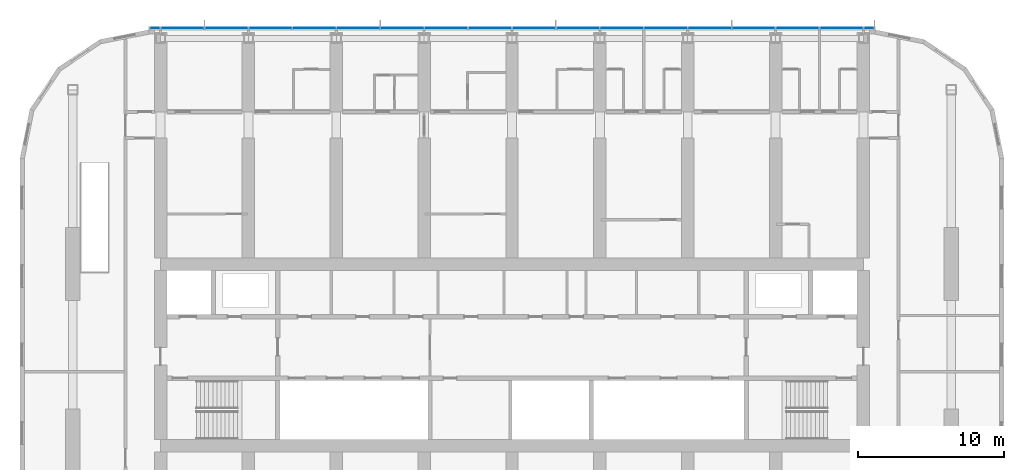
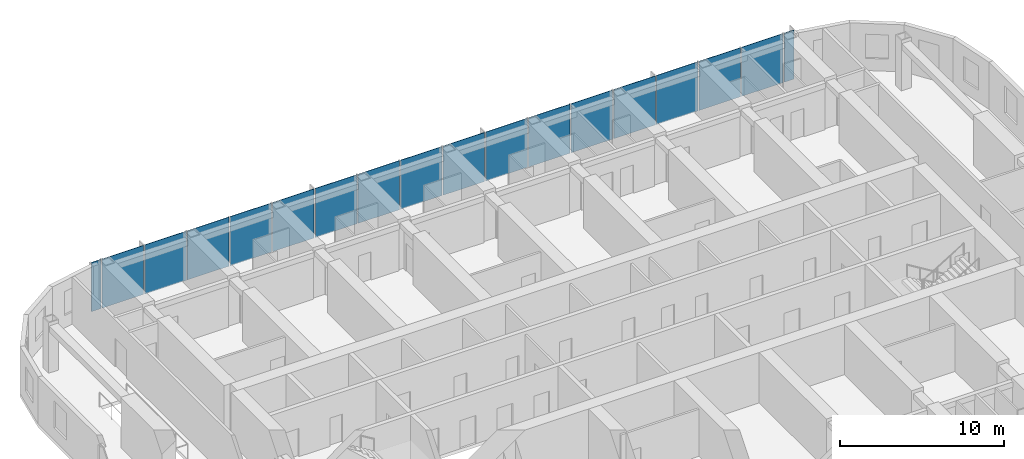
# One storey, part 9 of 22: 18 plates, 1 element without a shape of its own.
"""IFC4 building model written with IfcOpenShell, lengths in metres."""

from ifc_helpers import new_model, si_unit, direction, frame, origin, origin_2d, place, context, subcontext, project, spatial, rectangle, extrude, material, layer, layer_set, type_object, element, aggregate, save


model = new_model("IFC4")

# Units and contexts
model_context = context("Model", 3, precision=1e-05, world=origin(), true_north=direction((0.0, 1.0)))
body_context = subcontext(model_context, "Body", "Model", "MODEL_VIEW")
ifc_project = project(units=[si_unit("LENGTHUNIT", "METRE"), si_unit("AREAUNIT", "SQUARE_METRE"), si_unit("VOLUMEUNIT", "CUBIC_METRE"), si_unit("PLANEANGLEUNIT", "RADIAN"), si_unit("MASSUNIT", "GRAM", prefix="KILO")], contexts=[model_context])

# Site, building, storey
site_placement = place(None, origin())
site = spatial("IfcSite", under=ifc_project, at=site_placement, CompositionType="ELEMENT")
building_placement = place(site_placement, origin())
building = spatial("IfcBuilding", under=site, at=building_placement, Name="Orbita Commons", CompositionType="ELEMENT")
storey_placement = place(building_placement, frame((0.0, 0.0, 167.35009765625)))
storey = spatial("IfcBuildingStorey", under=building, at=storey_placement, Name="L41", CompositionType="ELEMENT", Elevation=167.35009765625)

# Curtain wall, plates
ifc_material_1 = material(Name="Anodised aluminium frame, pale silver", Category="aluminium")
curtain_wall_type = type_object("IfcCurtainWallType", Name="Unitised curtain wall CW-U, full-height vision", PredefinedType="NOTDEFINED", material=ifc_material_1)
curtain_wall_placement = place(storey_placement, origin())
curtain_wall = element("IfcCurtainWall", 1, at=curtain_wall_placement, inside=storey, type_object=curtain_wall_type, Name="Curtain wall north L41", PredefinedType="NOTDEFINED")
ifc_material_2 = material(Name="Clear double glazing", Category="glass")
ifc_layer = layer(ifc_material_2, 0.031982421875)
ifc_layer_set = layer_set([ifc_layer], Name="Clear double glazing")
plate_type = type_object("IfcPlateType", Name="Full-height vision panel, clear glazing 32", PredefinedType="CURTAIN_PANEL", material=ifc_layer_set)
plate_1_placement = place(storey_placement, frame((66.3798828125, 54.31005859375, -0.150146484375), z_axis=(0.0, 0.0, 1.0), x_axis=(-1.0, 0.0, 0.0)))
plate_1 = element("IfcPlate", 2, at=plate_1_placement, type_object=plate_type, Name="Panel 1.1 CW-L41-N", PredefinedType="CURTAIN_PANEL", context=body_context, shape_type="SweptSolid", body=[
    extrude(rectangle(XDim=0.679931640625, YDim=0.031982421875, at=origin_2d()), origin(), (0.0, 0.0, 1.0), 3.64990234375),
])
plate_2_placement = place(storey_placement, frame((64.5, 54.31005859375, -0.150146484375), z_axis=(0.0, 0.0, 1.0), x_axis=(-1.0, 0.0, 0.0)))
plate_2 = element("IfcPlate", 3, at=plate_2_placement, type_object=plate_type, Name="Panel 2.1 CW-L41-N", PredefinedType="CURTAIN_PANEL", context=body_context, shape_type="SweptSolid", body=[
    extrude(rectangle(XDim=2.919921875, YDim=0.031982421875, at=origin_2d()), origin(), (0.0, 0.0, 1.0), 3.64990234375),
])
plate_3_placement = place(storey_placement, frame((61.5, 54.31005859375, -0.150146484375), z_axis=(0.0, 0.0, 1.0), x_axis=(-1.0, 0.0, 0.0)))
plate_3 = element("IfcPlate", 4, at=plate_3_placement, type_object=plate_type, Name="Panel 3.1 CW-L41-N", PredefinedType="CURTAIN_PANEL", context=body_context, shape_type="SweptSolid", body=[
    extrude(rectangle(XDim=2.919921875, YDim=0.031982421875, at=origin_2d()), origin(), (0.0, 0.0, 1.0), 3.64990234375),
])
plate_4_placement = place(storey_placement, frame((58.5, 54.31005859375, -0.150146484375), z_axis=(0.0, 0.0, 1.0), x_axis=(-1.0, 0.0, 0.0)))
plate_4 = element("IfcPlate", 5, at=plate_4_placement, type_object=plate_type, Name="Panel 4.1 CW-L41-N", PredefinedType="CURTAIN_PANEL", context=body_context, shape_type="SweptSolid", body=[
    extrude(rectangle(XDim=2.919921875, YDim=0.031982421875, at=origin_2d()), origin(), (0.0, 0.0, 1.0), 3.64990234375),
])
plate_5_placement = place(storey_placement, frame((55.5, 54.31005859375, -0.150146484375), z_axis=(0.0, 0.0, 1.0), x_axis=(-1.0, 0.0, 0.0)))
plate_5 = element("IfcPlate", 6, at=plate_5_placement, type_object=plate_type, Name="Panel 5.1 CW-L41-N", PredefinedType="CURTAIN_PANEL", context=body_context, shape_type="SweptSolid", body=[
    extrude(rectangle(XDim=2.919921875, YDim=0.031982421875, at=origin_2d()), origin(), (0.0, 0.0, 1.0), 3.64990234375),
])
plate_6_placement = place(storey_placement, frame((52.5, 54.31005859375, -0.150146484375), z_axis=(0.0, 0.0, 1.0), x_axis=(-1.0, 0.0, 0.0)))
plate_6 = element("IfcPlate", 7, at=plate_6_placement, type_object=plate_type, Name="Panel 6.1 CW-L41-N", PredefinedType="CURTAIN_PANEL", context=body_context, shape_type="SweptSolid", body=[
    extrude(rectangle(XDim=2.919921875, YDim=0.031982421875, at=origin_2d()), origin(), (0.0, 0.0, 1.0), 3.64990234375),
])
plate_7_placement = place(storey_placement, frame((49.5, 54.31005859375, -0.150146484375), z_axis=(0.0, 0.0, 1.0), x_axis=(-1.0, 0.0, 0.0)))
plate_7 = element("IfcPlate", 8, at=plate_7_placement, type_object=plate_type, Name="Panel 7.1 CW-L41-N", PredefinedType="CURTAIN_PANEL", context=body_context, shape_type="SweptSolid", body=[
    extrude(rectangle(XDim=2.919921875, YDim=0.031982421875, at=origin_2d()), origin(), (0.0, 0.0, 1.0), 3.64990234375),
])
plate_8_placement = place(storey_placement, frame((46.5, 54.31005859375, -0.150146484375), z_axis=(0.0, 0.0, 1.0), x_axis=(-1.0, 0.0, 0.0)))
plate_8 = element("IfcPlate", 9, at=plate_8_placement, type_object=plate_type, Name="Panel 8.1 CW-L41-N", PredefinedType="CURTAIN_PANEL", context=body_context, shape_type="SweptSolid", body=[
    extrude(rectangle(XDim=2.919921875, YDim=0.031982421875, at=origin_2d()), origin(), (0.0, 0.0, 1.0), 3.64990234375),
])
plate_9_placement = place(storey_placement, frame((43.5, 54.31005859375, -0.150146484375), z_axis=(0.0, 0.0, 1.0), x_axis=(-1.0, 0.0, 0.0)))
plate_9 = element("IfcPlate", 10, at=plate_9_placement, type_object=plate_type, Name="Panel 9.1 CW-L41-N", PredefinedType="CURTAIN_PANEL", context=body_context, shape_type="SweptSolid", body=[
    extrude(rectangle(XDim=2.919921875, YDim=0.031982421875, at=origin_2d()), origin(), (0.0, 0.0, 1.0), 3.64990234375),
])
plate_10_placement = place(storey_placement, frame((40.5, 54.31005859375, -0.150146484375), z_axis=(0.0, 0.0, 1.0), x_axis=(-1.0, 0.0, 0.0)))
plate_10 = element("IfcPlate", 11, at=plate_10_placement, type_object=plate_type, Name="Panel 10.1 CW-L41-N", PredefinedType="CURTAIN_PANEL", context=body_context, shape_type="SweptSolid", body=[
    extrude(rectangle(XDim=2.919921875, YDim=0.031982421875, at=origin_2d()), origin(), (0.0, 0.0, 1.0), 3.64990234375),
])
plate_11_placement = place(storey_placement, frame((37.5, 54.31005859375, -0.150146484375), z_axis=(0.0, 0.0, 1.0), x_axis=(-1.0, 0.0, 0.0)))
plate_11 = element("IfcPlate", 12, at=plate_11_placement, type_object=plate_type, Name="Panel 11.1 CW-L41-N", PredefinedType="CURTAIN_PANEL", context=body_context, shape_type="SweptSolid", body=[
    extrude(rectangle(XDim=2.919921875, YDim=0.031982421875, at=origin_2d()), origin(), (0.0, 0.0, 1.0), 3.64990234375),
])
plate_12_placement = place(storey_placement, frame((34.5, 54.31005859375, -0.150146484375), z_axis=(0.0, 0.0, 1.0), x_axis=(-1.0, 0.0, 0.0)))
plate_12 = element("IfcPlate", 13, at=plate_12_placement, type_object=plate_type, Name="Panel 12.1 CW-L41-N", PredefinedType="CURTAIN_PANEL", context=body_context, shape_type="SweptSolid", body=[
    extrude(rectangle(XDim=2.919921875, YDim=0.031982421875, at=origin_2d()), origin(), (0.0, 0.0, 1.0), 3.64990234375),
])
plate_13_placement = place(storey_placement, frame((31.5, 54.31005859375, -0.150146484375), z_axis=(0.0, 0.0, 1.0), x_axis=(-1.0, 0.0, 0.0)))
plate_13 = element("IfcPlate", 14, at=plate_13_placement, type_object=plate_type, Name="Panel 13.1 CW-L41-N", PredefinedType="CURTAIN_PANEL", context=body_context, shape_type="SweptSolid", body=[
    extrude(rectangle(XDim=2.919921875, YDim=0.031982421875, at=origin_2d()), origin(), (0.0, 0.0, 1.0), 3.64990234375),
])
plate_14_placement = place(storey_placement, frame((28.5, 54.31005859375, -0.150146484375), z_axis=(0.0, 0.0, 1.0), x_axis=(-1.0, 0.0, 0.0)))
plate_14 = element("IfcPlate", 15, at=plate_14_placement, type_object=plate_type, Name="Panel 14.1 CW-L41-N", PredefinedType="CURTAIN_PANEL", context=body_context, shape_type="SweptSolid", body=[
    extrude(rectangle(XDim=2.919921875, YDim=0.031982421875, at=origin_2d()), origin(), (0.0, 0.0, 1.0), 3.64990234375),
])
plate_15_placement = place(storey_placement, frame((25.5, 54.31005859375, -0.150146484375), z_axis=(0.0, 0.0, 1.0), x_axis=(-1.0, 0.0, 0.0)))
plate_15 = element("IfcPlate", 16, at=plate_15_placement, type_object=plate_type, Name="Panel 15.1 CW-L41-N", PredefinedType="CURTAIN_PANEL", context=body_context, shape_type="SweptSolid", body=[
    extrude(rectangle(XDim=2.919921875, YDim=0.031982421875, at=origin_2d()), origin(), (0.0, 0.0, 1.0), 3.64990234375),
])
plate_16_placement = place(storey_placement, frame((22.5, 54.31005859375, -0.150146484375), z_axis=(0.0, 0.0, 1.0), x_axis=(-1.0, 0.0, 0.0)))
plate_16 = element("IfcPlate", 17, at=plate_16_placement, type_object=plate_type, Name="Panel 16.1 CW-L41-N", PredefinedType="CURTAIN_PANEL", context=body_context, shape_type="SweptSolid", body=[
    extrude(rectangle(XDim=2.919921875, YDim=0.031982421875, at=origin_2d()), origin(), (0.0, 0.0, 1.0), 3.64990234375),
])
plate_17_placement = place(storey_placement, frame((19.5, 54.31005859375, -0.150146484375), z_axis=(0.0, 0.0, 1.0), x_axis=(-1.0, 0.0, 0.0)))
plate_17 = element("IfcPlate", 18, at=plate_17_placement, type_object=plate_type, Name="Panel 17.1 CW-L41-N", PredefinedType="CURTAIN_PANEL", context=body_context, shape_type="SweptSolid", body=[
    extrude(rectangle(XDim=2.919921875, YDim=0.031982421875, at=origin_2d()), origin(), (0.0, 0.0, 1.0), 3.64990234375),
])
plate_18_placement = place(storey_placement, frame((17.6201171875, 54.31005859375, -0.150146484375), z_axis=(0.0, 0.0, 1.0), x_axis=(-1.0, 0.0, 0.0)))
plate_18 = element("IfcPlate", 19, at=plate_18_placement, type_object=plate_type, Name="Panel 18.1 CW-L41-N", PredefinedType="CURTAIN_PANEL", context=body_context, shape_type="SweptSolid", body=[
    extrude(rectangle(XDim=0.679931640625, YDim=0.031982421875, at=origin_2d()), origin(), (0.0, 0.0, 1.0), 3.64990234375),
])
aggregate(curtain_wall, [plate_1, plate_2, plate_3, plate_4, plate_5, plate_6, plate_7, plate_8, plate_9, plate_10, plate_11, plate_12, plate_13, plate_14, plate_15, plate_16, plate_17, plate_18])

save(model, "model.ifc")
